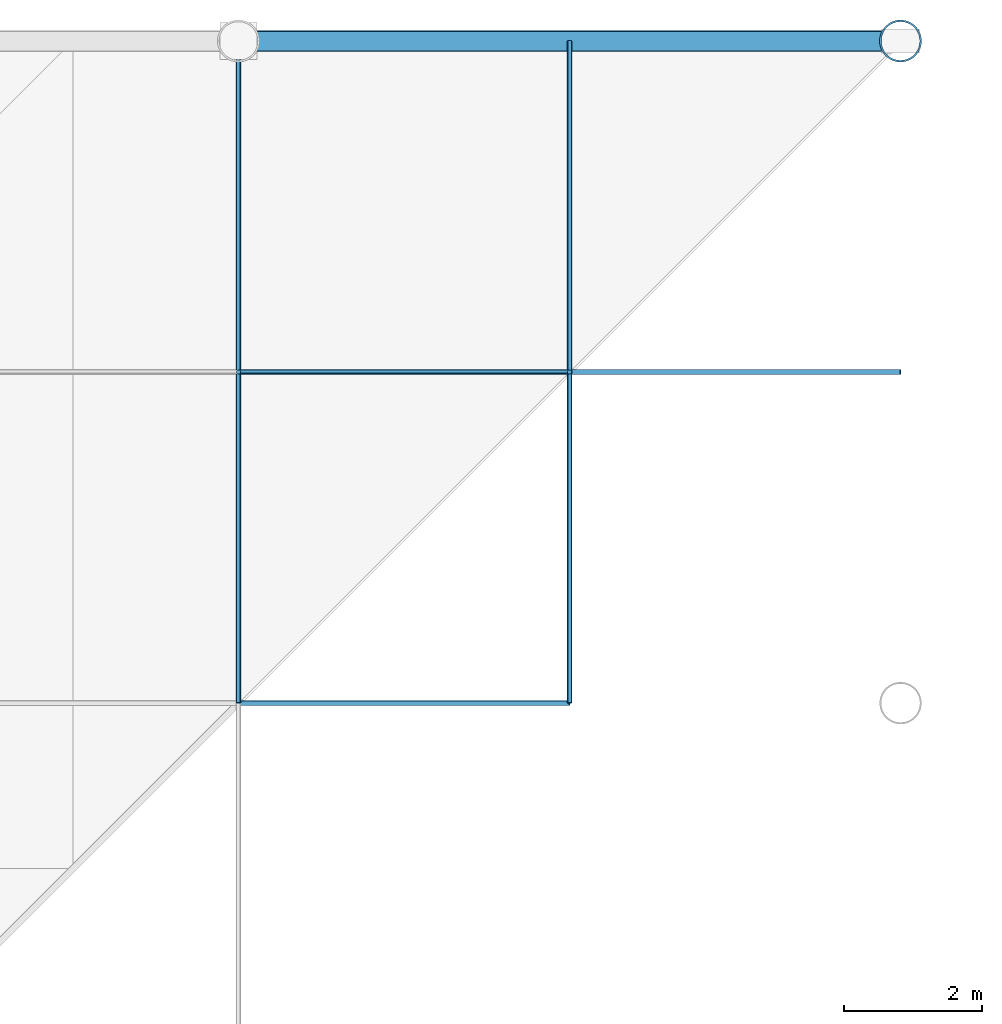
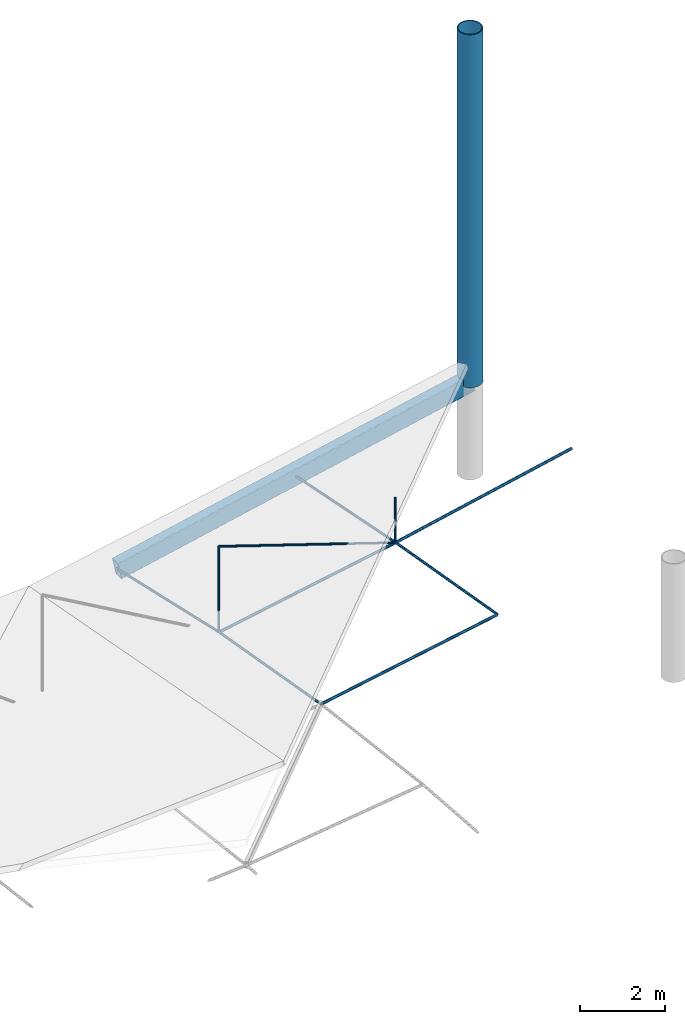
# One storey, part 25 of 40: 11 members, 1 beam.
"""IFC4 building model written with IfcOpenShell, lengths in metres."""

from ifc_helpers import new_model, si_unit, direction, frame, origin, origin_2d, place, context, subcontext, project, spatial, hollow_rectangle, circle, hollow_circle, extrude, material, material_profile, profile_set, type_object, element, save


model = new_model("IFC4")

# Units and contexts
model_context = context("Model", 3, precision=1e-05, world=origin(), true_north=direction((0.0, 1.0)))
body_context = subcontext(model_context, "Body", "Model", "MODEL_VIEW")
ifc_project = project(units=[si_unit("LENGTHUNIT", "METRE"), si_unit("AREAUNIT", "SQUARE_METRE"), si_unit("VOLUMEUNIT", "CUBIC_METRE"), si_unit("PLANEANGLEUNIT", "RADIAN"), si_unit("MASSUNIT", "GRAM", prefix="KILO")], contexts=[model_context])

# Site, building, storey
site_placement = place(None, origin())
site = spatial("IfcSite", under=ifc_project, at=site_placement, CompositionType="ELEMENT")
building_placement = place(site_placement, origin())
building = spatial("IfcBuilding", under=site, at=building_placement, Name="Zevrakil Square Congress Hotel", CompositionType="ELEMENT")
storey_placement = place(building_placement, frame((0.0, 0.0, 18.10009765625)))
storey = spatial("IfcBuildingStorey", under=building, at=storey_placement, Name="L05", CompositionType="ELEMENT", Elevation=18.10009765625)

# Members
ifc_material_1 = material(Name="Steel S355", Category="steel")
ifc_material_profile_1 = material_profile(ifc_material_1, circle(Radius=0.030029296875, at=origin_2d()), Name="CABLE RD60")
ifc_profile_set_1 = profile_set([ifc_material_profile_1], Name="Steel S355")
member_type_1 = type_object("IfcMemberType", Name="MEM-CABLE-RD60", PredefinedType="USERDEFINED", material=ifc_profile_set_1)
member_1_placement = place(storey_placement, frame((156.0, 108.0, 1.681884765625), z_axis=(0.0, 0.0, 1.0), x_axis=(1.0, 0.0, 0.0)))
element("IfcMember", 1, at=member_1_placement, inside=storey, type_object=member_type_1, Name="Congress cable-truss vertical tie CBW-09-8", ObjectType="ROOF CABLE", PredefinedType="USERDEFINED", context=body_context, shape_type="SweptSolid", body=[
    extrude(circle(Radius=0.030029296875, at=origin_2d()), origin(), (0.0, 0.0, 1.0), 2.46875),
])
member_2_placement = place(storey_placement, frame((160.800048828125, 108.0, 2.577880859375), z_axis=(-0.95029004287, 0.0, 0.311366077828), x_axis=(0.0, -1.0, 0.0)))
element("IfcMember", 2, at=member_2_placement, inside=storey, type_object=member_type_1, Name="Congress cable-truss web diagonal CBD-09-9", ObjectType="ROOF CABLE", PredefinedType="USERDEFINED", context=body_context, shape_type="SweptSolid", body=[
    extrude(circle(Radius=0.030029296875, at=origin_2d()), origin(), (0.0, 0.0, 1.0), 5.051025390625),
])
member_3_placement = place(storey_placement, frame((160.800048828125, 108.0, 2.577880859375), z_axis=(0.0, 0.0, 1.0), x_axis=(1.0, 0.0, 0.0)))
element("IfcMember", 3, at=member_3_placement, inside=storey, type_object=member_type_1, Name="Congress cable-truss vertical tie CBW-09-9", ObjectType="ROOF CABLE", PredefinedType="USERDEFINED", context=body_context, shape_type="SweptSolid", body=[
    extrude(circle(Radius=0.030029296875, at=origin_2d()), origin(), (0.0, 0.0, 1.0), 1.2978515625),
])
ifc_material_2 = material(Name="Steel S355", Category="steel")
ifc_material_profile_2 = material_profile(ifc_material_2, circle(Radius=0.033935546875, at=origin_2d()), Name="CABLE RD68")
ifc_profile_set_2 = profile_set([ifc_material_profile_2], Name="Steel S355")
member_type_2 = type_object("IfcMemberType", Name="MEM-CABLE-RD68", PredefinedType="USERDEFINED", material=ifc_profile_set_2)
member_4_placement = place(storey_placement, frame((156.0, 103.199951171875, 2.531982421875), z_axis=(0.0, 0.98502770223, -0.172396130582), x_axis=(-1.0, 0.0, 0.0)))
element("IfcMember", 4, at=member_4_placement, inside=storey, type_object=member_type_2, Name="Congress saddle stabilizing cable CBH-08 seg 9", ObjectType="ROOF CABLE", PredefinedType="USERDEFINED", context=body_context, shape_type="SweptSolid", body=[
    extrude(circle(Radius=0.033935546875, at=origin_2d()), origin(), (0.0, 0.0, 1.0), 4.873046875),
])
member_5_placement = place(storey_placement, frame((156.0, 108.0, 1.69189453125), z_axis=(0.0, 0.975169384168, -0.221460317395), x_axis=(-1.0, 0.0, 0.0)))
element("IfcMember", 5, at=member_5_placement, inside=storey, type_object=member_type_2, Name="Congress saddle stabilizing cable CBH-08 seg 10", ObjectType="ROOF CABLE", PredefinedType="USERDEFINED", context=body_context, shape_type="SweptSolid", body=[
    extrude(circle(Radius=0.033935546875, at=origin_2d()), origin(), (0.0, 0.0, 1.0), 4.92236328125),
])
member_6_placement = place(storey_placement, frame((160.800048828125, 103.199951171875, 3.427978515625), z_axis=(0.0, 0.98502770223, -0.172396130582), x_axis=(-1.0, 0.0, 0.0)))
element("IfcMember", 6, at=member_6_placement, inside=storey, type_object=member_type_2, Name="Congress saddle stabilizing cable CBH-09 seg 9", ObjectType="ROOF CABLE", PredefinedType="USERDEFINED", context=body_context, shape_type="SweptSolid", body=[
    extrude(circle(Radius=0.033935546875, at=origin_2d()), origin(), (0.0, 0.0, 1.0), 4.873046875),
])
member_7_placement = place(storey_placement, frame((160.800048828125, 108.0, 2.587890625), z_axis=(0.0, 0.980505798462, -0.196490150345), x_axis=(-1.0, 0.0, 0.0)))
element("IfcMember", 7, at=member_7_placement, inside=storey, type_object=member_type_2, Name="Congress saddle stabilizing cable CBH-09 seg 10", ObjectType="ROOF CABLE", PredefinedType="USERDEFINED", context=body_context, shape_type="SweptSolid", body=[
    extrude(circle(Radius=0.033935546875, at=origin_2d()), origin(), (0.0, 0.0, 1.0), 4.8955078125),
])
ifc_material_3 = material(Name="Steel S355", Category="steel")
ifc_material_profile_3 = material_profile(ifc_material_3, circle(Radius=0.0380859375, at=origin_2d()), Name="CABLE RD76")
ifc_profile_set_3 = profile_set([ifc_material_profile_3], Name="Steel S355")
member_type_3 = type_object("IfcMemberType", Name="MEM-CABLE-RD76", PredefinedType="USERDEFINED", material=ifc_profile_set_3)
for number, where, z_axis, x_axis, name in (
    (8, (156.0, 103.199951171875, 2.52197265625), (0.983020729765, 0.0, 0.183494536302), (0.0, 1.0, 0.0), "Congress saddle carrying cable CBS-08 seg 9"),
    (9, (156.0, 108.0, 1.681884765625), (0.983020729765, 0.0, 0.183494536302), (0.0, 1.0, 0.0), "Congress saddle carrying cable CBS-09 seg 9"),
):
    element("IfcMember", number, at=place(storey_placement, frame(where, z_axis=z_axis, x_axis=x_axis)), inside=storey, type_object=member_type_3, Name=name, ObjectType="ROOF CABLE", PredefinedType="USERDEFINED", context=body_context, shape_type="SweptSolid", body=[
        extrude(circle(Radius=0.0380859375, at=origin_2d()), origin(), (0.0, 0.0, 1.0), 4.883056640625),
    ])
member_8_placement = place(storey_placement, frame((160.800048828125, 108.0, 2.577880859375), z_axis=(0.977660289196, 0.0, 0.210191243702), x_axis=(0.0, 1.0, 0.0)))
element("IfcMember", 10, at=member_8_placement, inside=storey, type_object=member_type_3, Name="Congress saddle carrying cable CBS-09 seg 10", ObjectType="ROOF CABLE", PredefinedType="USERDEFINED", context=body_context, shape_type="SweptSolid", body=[
    extrude(circle(Radius=0.0380859375, at=origin_2d()), origin(), (0.0, 0.0, 1.0), 4.90966796875),
])
ifc_material_4 = material(Name="Steel S355", Category="steel")
ifc_material_profile_4 = material_profile(ifc_material_4, hollow_circle(Radius=0.304931640625, WallThickness=0.02490234375, at=origin_2d()), Name="CHS 610x25")
ifc_profile_set_4 = profile_set([ifc_material_profile_4], Name="Steel S355")
member_type_4 = type_object("IfcMemberType", Name="MEM-MAST-CHS610", PredefinedType="CHORD", material=ifc_profile_set_4)
member_9_placement = place(storey_placement, frame((165.60009765625, 112.800048828125, 2.64990234375), z_axis=(0.0, 0.0, 1.0), x_axis=(1.0, 0.0, 0.0)))
element("IfcMember", 11, at=member_9_placement, inside=storey, type_object=member_type_4, Name="Congress Hall stayed corner mast MS-03", PredefinedType="CHORD", context=body_context, shape_type="SweptSolid", body=[
    extrude(hollow_circle(Radius=0.304931640625, WallThickness=0.02490234375, at=origin_2d()), origin(), (0.0, 0.0, 1.0), 10.14990234375),
])

# Beam
ifc_material_5 = material(Name="Steel S355", Category="steel")
ifc_material_profile_5 = material_profile(ifc_material_5, hollow_rectangle(XDim=0.300048828125, YDim=0.5, WallThickness=0.02001953125, InnerFilletRadius=0.02001953125, OuterFilletRadius=0.0400390625, at=origin_2d()), Name="RHS 500x300x20")
ifc_profile_set_5 = profile_set([ifc_material_profile_5], Name="Steel S355")
beam_type = type_object("IfcBeamType", Name="RNG-RHS500", PredefinedType="USERDEFINED", material=ifc_profile_set_5)
beam_placement = place(storey_placement, frame((165.60009765625, 112.800048828125, 2.64990234375), z_axis=(-0.977991280087, 0.0, -0.208645766966), x_axis=(0.0, -1.0, 0.0)))
element("IfcBeam", 12, at=beam_placement, inside=storey, type_object=beam_type, Name="Congress Hall compression ring beam RB-11", ObjectType="RING BEAM", PredefinedType="USERDEFINED", context=body_context, shape_type="SweptSolid", body=[
    extrude(hollow_rectangle(XDim=0.300048828125, YDim=0.5, WallThickness=0.02001953125, InnerFilletRadius=0.02001953125, OuterFilletRadius=0.0400390625, at=origin_2d()), origin(), (0.0, 0.0, 1.0), 9.816162109375),
])

save(model, "model.ifc")
